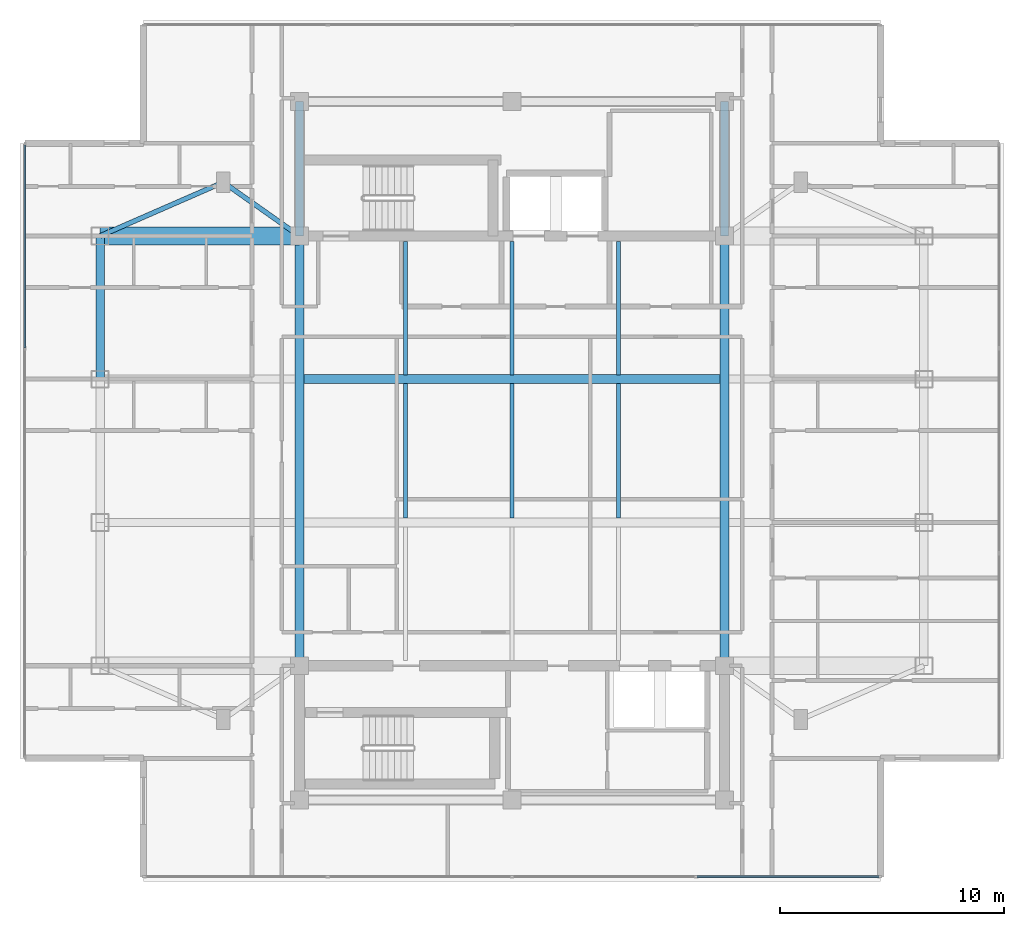
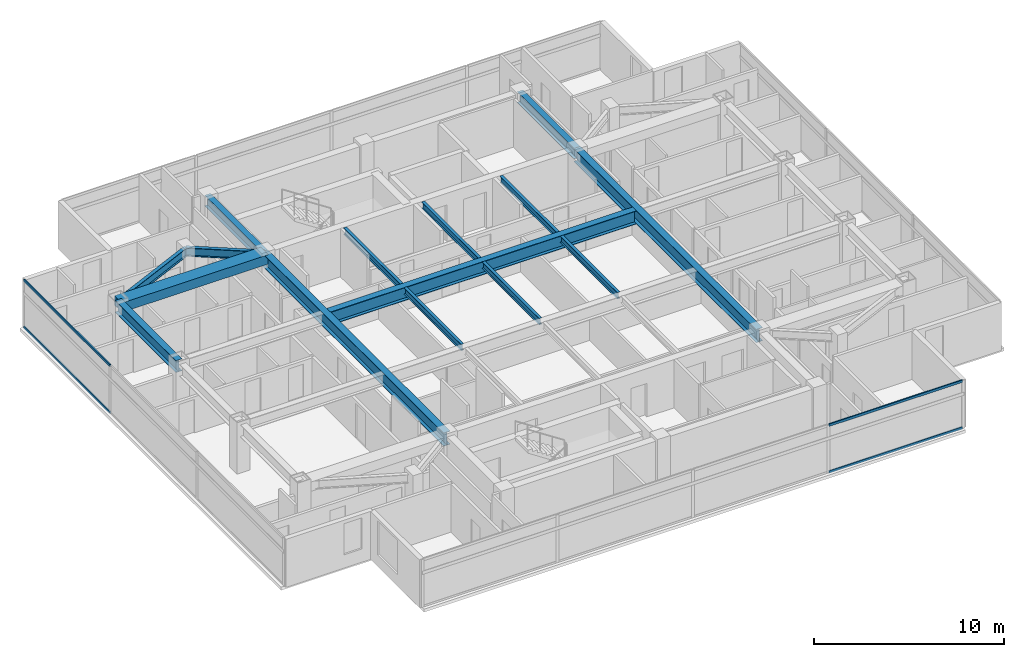
# One storey, part 3 of 14: 15 beams, 4 members, 2 elements without a shape of their own.
"""IFC4 building model written with IfcOpenShell, lengths in metres."""

import ifcopenshell
import ifcopenshell.guid

model = None  # the IFC model being written
_history = None  # IfcOwnerHistory: only IFC2X3 demands one
_inside = {}  # id of a spatial element -> (the spatial element, [elements in it])
_under = {}  # id of a project, library or spatial element -> (it, [spatial elements below it])
_declared = {}  # id of a project -> (the project, [libraries it declares])
_typed = {}  # id of a type object -> (the type object, [elements of that type])
_made_of = {}  # id of a material, layer set ... -> (it, [elements and type objects made of it])


def new_model(schema):
    """Start an empty IFC model of exactly this schema.

    Asked for "IFC4X3", IfcOpenShell would pick the latest addendum, in which some entities
    have other attributes; the version numbers below select the first issue.
    IFC2X3 requires an IfcOwnerHistory on every rooted entity: one is made here for all.
    """
    global model, _history
    if schema == "IFC4X3":
        model = ifcopenshell.file(schema_version=(4, 3, 0, 0))
    else:
        model = ifcopenshell.file(schema=schema)
    _inside.clear()
    _under.clear()
    _declared.clear()
    _typed.clear()
    _made_of.clear()
    _history = None
    if model.schema == "IFC2X3":
        org = make("IfcOrganization", Name="unknown")
        user = make(
            "IfcPersonAndOrganization",
            ThePerson=make("IfcPerson", FamilyName="unknown"),
            TheOrganization=org,
        )
        app = make(
            "IfcApplication",
            ApplicationDeveloper=org,
            Version="unknown",
            ApplicationFullName="unknown",
            ApplicationIdentifier="unknown",
        )
        _history = make(
            "IfcOwnerHistory",
            OwningUser=user,
            OwningApplication=app,
            ChangeAction="ADDED",
            CreationDate=0,
        )
    return model


def make(cls, **values):
    """One entity of the class cls with the attributes given. An attribute that is None is left unset."""
    return model.create_entity(
        cls, **{name: value for name, value in values.items() if value is not None}
    )


def rooted(cls, **values):
    """An entity with a GlobalId (a new one), such as an element, a storey or a relation."""
    return make(cls, GlobalId=ifcopenshell.guid.new(), OwnerHistory=_history, **values)


def si_unit(unit_type, name, prefix=None):
    """IfcSIUnit, for example si_unit("LENGTHUNIT", "METRE", prefix="MILLI")."""
    return make("IfcSIUnit", UnitType=unit_type, Prefix=prefix, Name=name)


def assignment(units):
    """IfcUnitAssignment: the units of a project."""
    return None if units is None else make("IfcUnitAssignment", Units=units)


def point(xyz):
    """IfcCartesianPoint."""
    return None if xyz is None else make("IfcCartesianPoint", Coordinates=xyz)


def direction(xyz):
    """IfcDirection."""
    return None if xyz is None else make("IfcDirection", DirectionRatios=xyz)


def frame(location, z_axis=None, x_axis=None):
    """IfcAxis2Placement3D, a coordinate frame: its origin and axes. An axis left out is left unset."""
    return make(
        "IfcAxis2Placement3D",
        Location=point(location),
        Axis=direction(z_axis),
        RefDirection=direction(x_axis),
    )


def frame_2d(location, x_axis=None):
    """IfcAxis2Placement2D, a coordinate frame in the plane: its origin and x axis."""
    return make(
        "IfcAxis2Placement2D", Location=point(location), RefDirection=direction(x_axis)
    )


def origin():
    """The frame at (0, 0, 0) with its axes left unset."""
    return frame((0.0, 0.0, 0.0))


def origin_2d():
    """The frame at (0, 0) in the plane with its x axis left unset."""
    return frame_2d((0.0, 0.0))


def place(relative_to, where):
    """IfcLocalPlacement: puts the frame where relative to a parent placement (None: the world)."""
    return make(
        "IfcLocalPlacement", PlacementRelTo=relative_to, RelativePlacement=where
    )


def context(
    kind, dimensions, precision=None, world=None, true_north=None, identifier=None
):
    """IfcGeometricRepresentationContext, for example the 3D "Model" context."""
    return make(
        "IfcGeometricRepresentationContext",
        ContextIdentifier=identifier,
        ContextType=kind,
        CoordinateSpaceDimension=dimensions,
        Precision=precision,
        WorldCoordinateSystem=world,
        TrueNorth=true_north,
    )


def subcontext(parent, identifier, kind, view, scale=None):
    """IfcGeometricRepresentationSubContext, for example "Body" below "Model"."""
    return make(
        "IfcGeometricRepresentationSubContext",
        ContextIdentifier=identifier,
        ContextType=kind,
        ParentContext=parent,
        TargetScale=scale,
        TargetView=view,
    )


def project(units=None, contexts=None):
    """IfcProject with its units and contexts."""
    return rooted(
        "IfcProject",
        Name="project",
        RepresentationContexts=contexts,
        UnitsInContext=assignment(units),
    )


def spatial(cls, under=None, at=None, **own):
    """A site, building, storey or space (cls), placed at a placement, below another one or the project."""
    s = rooted(cls, ObjectPlacement=at, **own)
    if under is not None:
        _under.setdefault(under.id(), (under, []))[1].append(s)
    return s


def profile(cls, at=None, kind="AREA", **sizes):
    """A parametric profile (cls). Its sizes go by their IFC names, for example OverallWidth=200.0."""
    return make(cls, ProfileType=kind, Position=at, **sizes)


def rectangle(**sizes):
    """IfcRectangleProfileDef."""
    return profile("IfcRectangleProfileDef", **sizes)


def i_section(**sizes):
    """IfcIShapeProfileDef."""
    return profile("IfcIShapeProfileDef", **sizes)


def extrude(swept, where, along, depth):
    """IfcExtrudedAreaSolid: the profile swept, set in the frame where, extruded along a direction by depth."""
    return make(
        "IfcExtrudedAreaSolid",
        SweptArea=swept,
        Position=where,
        ExtrudedDirection=direction(along),
        Depth=depth,
    )


def shape(context_of_items, identifier, shape_type, items):
    """IfcShapeRepresentation: the items that make up one representation, for example the "Body"."""
    return make(
        "IfcShapeRepresentation",
        ContextOfItems=context_of_items,
        RepresentationIdentifier=identifier,
        RepresentationType=shape_type,
        Items=items,
    )


def material(Name=None, Category=None):
    """IfcMaterial."""
    return make("IfcMaterial", Name=Name, Category=Category)


def material_profile(
    of_material, cross_section, Name=None, Category=None, Priority=None
):
    """IfcMaterialProfile: a cross section and its material."""
    return make(
        "IfcMaterialProfile",
        Name=Name,
        Material=of_material,
        Profile=cross_section,
        Priority=Priority,
        Category=Category,
    )


def profile_set(profiles, Name=None, composite=None):
    """IfcMaterialProfileSet."""
    return make(
        "IfcMaterialProfileSet",
        Name=Name,
        MaterialProfiles=profiles,
        CompositeProfile=composite,
    )


def made_of(thing, what):
    """Note that an element or type object is made of a material, layer set ...; save() writes the relation."""
    if what is not None:
        _made_of.setdefault(what.id(), (what, []))[1].append(thing)
    return thing


def type_object(cls, material=None, **own):
    """A type object (cls), such as IfcWallType, which elements share."""
    return made_of(rooted(cls, **own), material)


def element(
    cls,
    number,
    at=None,
    inside=None,
    cuts=None,
    type_object=None,
    material=None,
    context=None,
    identifier="Body",
    shape_type=None,
    held_by="IfcProductDefinitionShape",
    body=None,
    shapes=None,
    **own,
):
    """One element of the class cls, such as IfcWall. Its Tag is "e" and its number.

    at: its placement. inside: the storey or other place that contains it. cuts: it is an
    opening in that element (IfcRelVoidsElement). A single representation is given by context,
    identifier, shape_type and body (its items); several are given by shapes. held_by: the class
    of the entity that holds the representations. save() writes the other relations.
    """
    e = rooted(cls, Tag="e%d" % number, ObjectPlacement=at, **own)
    if body is not None:
        shapes = [shape(context, identifier, shape_type, body)]
    if shapes is not None:
        e.Representation = make(held_by, Representations=shapes)
    if inside is not None:
        _inside.setdefault(inside.id(), (inside, []))[1].append(e)
    if cuts is not None:
        rooted(
            "IfcRelVoidsElement", RelatingBuildingElement=cuts, RelatedOpeningElement=e
        )
    if type_object is not None:
        _typed.setdefault(type_object.id(), (type_object, []))[1].append(e)
    return made_of(e, material)


def aggregate(whole, parts):
    """IfcRelAggregates: a whole, such as a stair, and the parts it consists of."""
    return rooted("IfcRelAggregates", RelatingObject=whole, RelatedObjects=parts)


def save(model, path):
    """Write the relations noted so far, then the file.

    IfcRelAggregates (storeys below a building ...), IfcRelContainedInSpatialStructure (elements
    in a storey), IfcRelDefinesByType, IfcRelAssociatesMaterial and IfcRelDeclares: one each for
    every whole, place, type object, material and project.
    """
    for whole, parts in _under.values():
        aggregate(whole, parts)
    for where, things in _inside.values():
        rooted(
            "IfcRelContainedInSpatialStructure",
            RelatedElements=things,
            RelatingStructure=where,
        )
    for kind, things in _typed.values():
        rooted("IfcRelDefinesByType", RelatedObjects=things, RelatingType=kind)
    for what, things in _made_of.values():
        rooted("IfcRelAssociatesMaterial", RelatedObjects=things, RelatingMaterial=what)
    for by, libraries in _declared.values():
        rooted("IfcRelDeclares", RelatingContext=by, RelatedDefinitions=libraries)
    model.write(path)


model = new_model("IFC4")

# Units and contexts
model_context = context("Model", 3, precision=1e-05, world=origin(), true_north=direction((0.0, 1.0)))
body_context = subcontext(model_context, "Body", "Model", "MODEL_VIEW")
ifc_project = project(units=[si_unit("LENGTHUNIT", "METRE"), si_unit("AREAUNIT", "SQUARE_METRE"), si_unit("VOLUMEUNIT", "CUBIC_METRE"), si_unit("PLANEANGLEUNIT", "RADIAN"), si_unit("MASSUNIT", "GRAM", prefix="KILO")], contexts=[model_context])

# Site, building, storey
site_placement = place(None, origin())
site = spatial("IfcSite", under=ifc_project, at=site_placement, CompositionType="ELEMENT")
building_placement = place(site_placement, origin())
building = spatial("IfcBuilding", under=site, at=building_placement, Name="Mirazonda Arch Towers", CompositionType="ELEMENT")
storey_placement = place(building_placement, frame((0.0, 0.0, 239.199951171875)))
storey = spatial("IfcBuildingStorey", under=building, at=storey_placement, Name="L68", CompositionType="ELEMENT", Elevation=239.199951171875)

# Beams
ifc_material_1 = material(Name="Steel ASTM A992 Grade 50", Category="steel")
ifc_material_profile_1 = material_profile(ifc_material_1, i_section(OverallWidth=0.381103515625, OverallDepth=0.77294921875, WebThickness=0.0166015625, FlangeThickness=0.027099609375, at=origin_2d()), Name="W30X173")
ifc_profile_set_1 = profile_set([ifc_material_profile_1], Name="Steel ASTM A992 Grade 50")
beam_type_1 = type_object("IfcBeamType", Name="BM-EXT-W30X173", PredefinedType="USERDEFINED", material=ifc_profile_set_1)
beam_1_placement = place(storey_placement, frame((2.10009765625, 31.199951171875, 2.713623046875), z_axis=(0.0, 1.0, 0.0), x_axis=(-1.0, 0.0, 0.0)))
element("IfcBeam", 1, at=beam_1_placement, inside=storey, type_object=beam_type_1, Name="L68 Floor Beam BM-T1-L68-NS-W-31", ObjectType="GIRDER", PredefinedType="USERDEFINED", context=body_context, shape_type="SweptSolid", body=[
    extrude(i_section(OverallWidth=0.381103515625, OverallDepth=0.77294921875, WebThickness=0.0166015625, FlangeThickness=0.027099609375, at=origin_2d()), origin(), (0.0, 0.0, 1.0), 6.400146484375),
])
ifc_material_profile_2 = material_profile(ifc_material_1, i_section(OverallWidth=0.180908203125, OverallDepth=0.4169921875, WebThickness=0.010986328125, FlangeThickness=0.018310546875, at=origin_2d()), Name="W16X57")
ifc_profile_set_2 = profile_set([ifc_material_profile_2], Name="Steel ASTM A992 Grade 50")
beam_type_2 = type_object("IfcBeamType", Name="BM-INT-W16X57", PredefinedType="JOIST", material=ifc_profile_set_2)
beam_2_placement = place(storey_placement, frame((15.75, 31.39599609375, 2.8916015625), z_axis=(0.0, 1.0, 0.0), x_axis=(-1.0, 0.0, 0.0)))
element("IfcBeam", 2, at=beam_2_placement, inside=storey, type_object=beam_type_2, Name="L68 Floor Beam BM-T1-L68-J-157-31", PredefinedType="JOIST", context=body_context, shape_type="SweptSolid", body=[
    extrude(i_section(OverallWidth=0.180908203125, OverallDepth=0.4169921875, WebThickness=0.010986328125, FlangeThickness=0.018310546875, at=origin_2d()), origin(), (0.0, 0.0, 1.0), 5.964111328125),
])
beam_3_placement = place(storey_placement, frame((15.75, 24.99609375, 2.8916015625), z_axis=(0.0, 1.0, 0.0), x_axis=(-1.0, 0.0, 0.0)))
element("IfcBeam", 3, at=beam_3_placement, inside=storey, type_object=beam_type_2, Name="L68 Floor Beam BM-T1-L68-J-157-24", PredefinedType="JOIST", context=body_context, shape_type="SweptSolid", body=[
    extrude(i_section(OverallWidth=0.180908203125, OverallDepth=0.4169921875, WebThickness=0.010986328125, FlangeThickness=0.018310546875, at=origin_2d()), origin(), (0.0, 0.0, 1.0), 6.0078125),
])
beam_4_placement = place(storey_placement, frame((20.5, 31.39599609375, 2.8916015625), z_axis=(0.0, 1.0, 0.0), x_axis=(-1.0, 0.0, 0.0)))
element("IfcBeam", 4, at=beam_4_placement, inside=storey, type_object=beam_type_2, Name="L68 Floor Beam BM-T1-L68-J-205-31", PredefinedType="JOIST", context=body_context, shape_type="SweptSolid", body=[
    extrude(i_section(OverallWidth=0.180908203125, OverallDepth=0.4169921875, WebThickness=0.010986328125, FlangeThickness=0.018310546875, at=origin_2d()), origin(), (0.0, 0.0, 1.0), 5.964111328125),
])
beam_5_placement = place(storey_placement, frame((20.5, 24.99609375, 2.8916015625), z_axis=(0.0, 1.0, 0.0), x_axis=(-1.0, 0.0, 0.0)))
element("IfcBeam", 5, at=beam_5_placement, inside=storey, type_object=beam_type_2, Name="L68 Floor Beam BM-T1-L68-J-205-24", PredefinedType="JOIST", context=body_context, shape_type="SweptSolid", body=[
    extrude(i_section(OverallWidth=0.180908203125, OverallDepth=0.4169921875, WebThickness=0.010986328125, FlangeThickness=0.018310546875, at=origin_2d()), origin(), (0.0, 0.0, 1.0), 6.0078125),
])
beam_6_placement = place(storey_placement, frame((25.25, 31.39599609375, 2.8916015625), z_axis=(0.0, 1.0, 0.0), x_axis=(-1.0, 0.0, 0.0)))
element("IfcBeam", 6, at=beam_6_placement, inside=storey, type_object=beam_type_2, Name="L68 Floor Beam BM-T1-L68-J-252-31", PredefinedType="JOIST", context=body_context, shape_type="SweptSolid", body=[
    extrude(i_section(OverallWidth=0.180908203125, OverallDepth=0.4169921875, WebThickness=0.010986328125, FlangeThickness=0.018310546875, at=origin_2d()), origin(), (0.0, 0.0, 1.0), 5.964111328125),
])
beam_7_placement = place(storey_placement, frame((25.25, 24.99609375, 2.8916015625), z_axis=(0.0, 1.0, 0.0), x_axis=(-1.0, 0.0, 0.0)))
element("IfcBeam", 7, at=beam_7_placement, inside=storey, type_object=beam_type_2, Name="L68 Floor Beam BM-T1-L68-J-252-24", PredefinedType="JOIST", context=body_context, shape_type="SweptSolid", body=[
    extrude(i_section(OverallWidth=0.180908203125, OverallDepth=0.4169921875, WebThickness=0.010986328125, FlangeThickness=0.018310546875, at=origin_2d()), origin(), (0.0, 0.0, 1.0), 6.0078125),
])
ifc_material_profile_3 = material_profile(ifc_material_1, i_section(OverallWidth=0.214111328125, OverallDepth=0.549072265625, WebThickness=0.0146484375, FlangeThickness=0.023681640625, at=origin_2d()), Name="W21X93")
ifc_profile_set_3 = profile_set([ifc_material_profile_3], Name="Steel ASTM A992 Grade 50")
beam_type_3 = type_object("IfcBeamType", Name="BM-INT-W21X93", PredefinedType="BEAM", material=ifc_profile_set_3)
beam_8_placement = place(storey_placement, frame((7.60009765625, 40.0, 2.825439453125), z_axis=(0.816971114901, -0.576678591087, 0.0), x_axis=(0.576678591087, 0.816971114901, 0.0)))
element("IfcBeam", 8, at=beam_8_placement, inside=storey, type_object=beam_type_3, Name="L68 Floor Beam BM-T1-L68-PL-NW1", PredefinedType="BEAM", context=body_context, shape_type="SweptSolid", body=[
    extrude(i_section(OverallWidth=0.214111328125, OverallDepth=0.549072265625, WebThickness=0.0146484375, FlangeThickness=0.023681640625, at=origin_2d()), origin(), (0.0, 0.0, 1.0), 4.16162109375),
])
beam_9_placement = place(storey_placement, frame((7.60009765625, 40.0, 2.825439453125), z_axis=(-0.916545343703, -0.399930785183, 0.0), x_axis=(0.399930785183, -0.916545343703, 0.0)))
element("IfcBeam", 9, at=beam_9_placement, inside=storey, type_object=beam_type_3, Name="L68 Floor Beam BM-T1-L68-PL-NW2", PredefinedType="BEAM", context=body_context, shape_type="SweptSolid", body=[
    extrude(i_section(OverallWidth=0.214111328125, OverallDepth=0.549072265625, WebThickness=0.0146484375, FlangeThickness=0.023681640625, at=origin_2d()), origin(), (0.0, 0.0, 1.0), 6.000732421875),
])
ifc_material_profile_4 = material_profile(ifc_material_1, i_section(OverallWidth=0.35498046875, OverallDepth=0.696044921875, WebThickness=0.015380859375, FlangeThickness=0.02490234375, at=origin_2d()), Name="W27X146")
ifc_profile_set_4 = profile_set([ifc_material_profile_4], Name="Steel ASTM A992 Grade 50")
beam_type_4 = type_object("IfcBeamType", Name="BM-INT-W27X146", PredefinedType="BEAM", material=ifc_profile_set_4)
for number, where, z_axis, x_axis, name in (
    (10, (11.0, 37.60009765625, 2.751953125), (0.0, 1.0, 0.0), (-1.0, 0.0, 0.0), "L68 Floor Beam BM-T1-L68-CNW"),
    (11, (30.0, 37.60009765625, 2.751953125), (0.0, 1.0, 0.0), (-1.0, 0.0, 0.0), "L68 Floor Beam BM-T1-L68-CNE"),
):
    element("IfcBeam", number, at=place(storey_placement, frame(where, z_axis=z_axis, x_axis=x_axis)), inside=storey, type_object=beam_type_4, Name=name, PredefinedType="BEAM", context=body_context, shape_type="SweptSolid", body=[
        extrude(i_section(OverallWidth=0.35498046875, OverallDepth=0.696044921875, WebThickness=0.015380859375, FlangeThickness=0.02490234375, at=origin_2d()), origin(), (0.0, 0.0, 1.0), 6.0),
    ])
ifc_material_profile_5 = material_profile(ifc_material_1, i_section(OverallWidth=0.39990234375, OverallDepth=0.85595703125, WebThickness=0.018310546875, FlangeThickness=0.029296875, at=origin_2d()), Name="W33X201")
ifc_profile_set_5 = profile_set([ifc_material_profile_5], Name="Steel ASTM A992 Grade 50")
beam_type_5 = type_object("IfcBeamType", Name="BM-INT-W33X201", PredefinedType="USERDEFINED", material=ifc_profile_set_5)
beam_10_placement = place(storey_placement, frame((11.199951171875, 31.199951171875, 2.672119140625), z_axis=(1.0, 0.0, 0.0), x_axis=(0.0, 1.0, 0.0)))
element("IfcBeam", 12, at=beam_10_placement, inside=storey, type_object=beam_type_5, Name="L68 Floor Beam BM-T1-L68-GC3", ObjectType="GIRDER", PredefinedType="USERDEFINED", context=body_context, shape_type="SweptSolid", body=[
    extrude(i_section(OverallWidth=0.39990234375, OverallDepth=0.85595703125, WebThickness=0.018310546875, FlangeThickness=0.029296875, at=origin_2d()), origin(), (0.0, 0.0, 1.0), 18.60009765625),
])
for number, where, z_axis, x_axis, name in (
    (13, (11.0, 18.39990234375, 2.672119140625), (0.0, 1.0, 0.0), (-1.0, 0.0, 0.0), "L68 Floor Beam BM-T1-L68-NS-CW-FULL"),
    (14, (30.0, 18.39990234375, 2.672119140625), (0.0, 1.0, 0.0), (-1.0, 0.0, 0.0), "L68 Floor Beam BM-T1-L68-NS-CE-FULL"),
):
    element("IfcBeam", number, at=place(storey_placement, frame(where, z_axis=z_axis, x_axis=x_axis)), inside=storey, type_object=beam_type_5, Name=name, ObjectType="GIRDER", PredefinedType="USERDEFINED", context=body_context, shape_type="SweptSolid", body=[
        extrude(i_section(OverallWidth=0.39990234375, OverallDepth=0.85595703125, WebThickness=0.018310546875, FlangeThickness=0.029296875, at=origin_2d()), origin(), (0.0, 0.0, 1.0), 19.2001953125),
    ])
ifc_material_2 = material(Name="Concrete C60/75", Category="concrete")
ifc_material_profile_6 = material_profile(ifc_material_2, rectangle(XDim=0.800048828125, YDim=0.60009765625, at=origin_2d()), Name="RCCB800x600")
ifc_profile_set_6 = profile_set([ifc_material_profile_6], Name="Concrete C60/75")
beam_type_6 = type_object("IfcBeamType", Name="CB-INT-RCCB800x600", PredefinedType="SPANDREL", material=ifc_profile_set_6)
beam_11_placement = place(storey_placement, frame((2.10009765625, 37.60009765625, 2.800048828125), z_axis=(1.0, 0.0, 0.0), x_axis=(0.0, 1.0, 0.0)))
element("IfcBeam", 15, at=beam_11_placement, inside=storey, type_object=beam_type_6, Name="L68 Floor Beam CBC-T1-L68-NW", PredefinedType="SPANDREL", context=body_context, shape_type="SweptSolid", body=[
    extrude(rectangle(XDim=0.800048828125, YDim=0.60009765625, at=origin_2d()), origin(), (0.0, 0.0, 1.0), 8.89990234375),
])

# Curtain wall, members
ifc_material_3 = material(Name="Anodised Aluminium and Low-E Glass", Category="aluminium")
curtain_wall_type = type_object("IfcCurtainWallType", Name="CW-RES-UNIT", PredefinedType="NOTDEFINED", material=ifc_material_3)
curtain_wall_1_placement = place(storey_placement, origin())
curtain_wall_1 = element("IfcCurtainWall", 16, at=curtain_wall_1_placement, inside=storey, type_object=curtain_wall_type, Name="L68 T1 S Facade CW-L68-T1-S", PredefinedType="NOTDEFINED")
ifc_material_4 = material(Name="Anodised Aluminium Alloy", Category="aluminium")
ifc_material_profile_7 = material_profile(ifc_material_4, rectangle(XDim=0.074951171875, YDim=0.155029296875, at=origin_2d()), Name="ALU-TRAN-75x155")
ifc_profile_set_7 = profile_set([ifc_material_profile_7], Name="Anodised Aluminium Alloy")
member_type = type_object("IfcMemberType", Name="TRAN-CW-RES-UNIT", PredefinedType="USERDEFINED", material=ifc_profile_set_7)
member_1_placement = place(storey_placement, frame((36.89501953125, 8.971923828125, 0.03759765625), z_axis=(-1.0, 0.0, 0.0), x_axis=(0.0, -1.0, 0.0)))
member_1 = element("IfcMember", 17, at=member_1_placement, type_object=member_type, Name="CW-104 transom 1.1", ObjectType="TRANSOM", PredefinedType="USERDEFINED", context=body_context, shape_type="SweptSolid", body=[
    extrude(rectangle(XDim=0.074951171875, YDim=0.155029296875, at=origin_2d()), origin(), (0.0, 0.0, 1.0), 8.12255859375),
])
member_2_placement = place(storey_placement, frame((36.89501953125, 8.971923828125, 3.04248046875), z_axis=(-1.0, 0.0, 0.0), x_axis=(0.0, -1.0, 0.0)))
member_2 = element("IfcMember", 18, at=member_2_placement, type_object=member_type, Name="CW-104 transom 1.2", ObjectType="TRANSOM", PredefinedType="USERDEFINED", context=body_context, shape_type="SweptSolid", body=[
    extrude(rectangle(XDim=0.074951171875, YDim=0.155029296875, at=origin_2d()), origin(), (0.0, 0.0, 1.0), 8.12255859375),
])
aggregate(curtain_wall_1, [member_1, member_2])

curtain_wall_2_placement = place(storey_placement, origin())
curtain_wall_2 = element("IfcCurtainWall", 19, at=curtain_wall_2_placement, inside=storey, type_object=curtain_wall_type, Name="L68 T1 W Facade CW-L68-T1-W", PredefinedType="NOTDEFINED")
member_3_placement = place(storey_placement, frame((-1.260009765625, 41.6630859375, 0.03759765625), z_axis=(0.0, -1.0, 0.0), x_axis=(1.0, 0.0, 0.0)))
member_3 = element("IfcMember", 20, at=member_3_placement, type_object=member_type, Name="CW-104 transom 1.1", ObjectType="TRANSOM", PredefinedType="USERDEFINED", context=body_context, shape_type="SweptSolid", body=[
    extrude(rectangle(XDim=0.074951171875, YDim=0.155029296875, at=origin_2d()), origin(), (0.0, 0.0, 1.0), 9.046142578125),
])
member_4_placement = place(storey_placement, frame((-1.260009765625, 41.6630859375, 3.04248046875), z_axis=(0.0, -1.0, 0.0), x_axis=(1.0, 0.0, 0.0)))
member_4 = element("IfcMember", 21, at=member_4_placement, type_object=member_type, Name="CW-104 transom 1.2", ObjectType="TRANSOM", PredefinedType="USERDEFINED", context=body_context, shape_type="SweptSolid", body=[
    extrude(rectangle(XDim=0.074951171875, YDim=0.155029296875, at=origin_2d()), origin(), (0.0, 0.0, 1.0), 9.046142578125),
])
aggregate(curtain_wall_2, [member_3, member_4])

save(model, "model.ifc")
